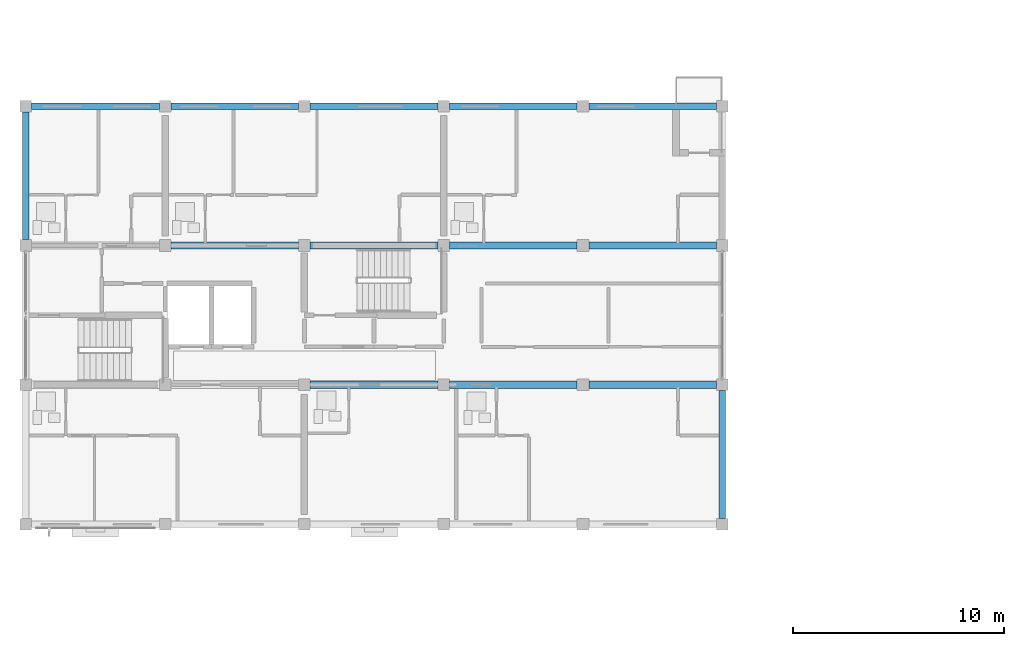
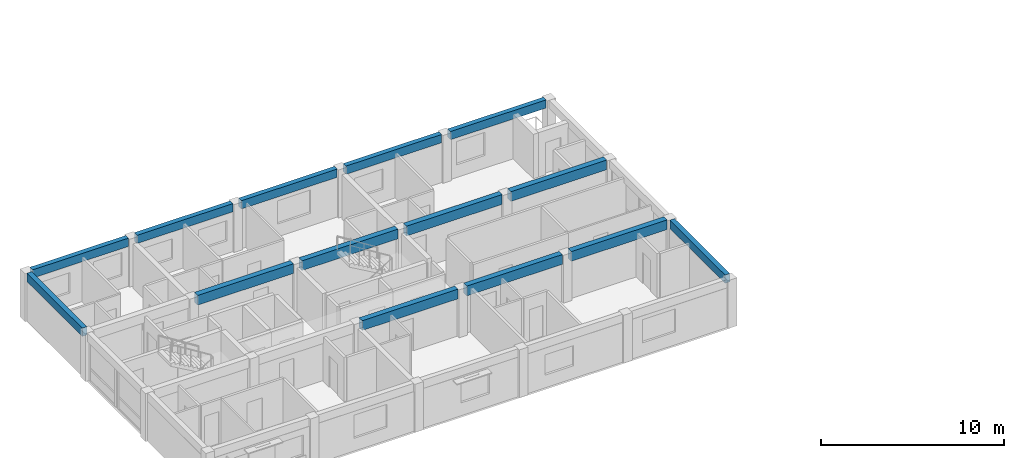
# One storey, part 17 of 53: 14 beams.
"""IFC4 building model written with IfcOpenShell, lengths in metres."""

from ifc_helpers import new_model, si_unit, direction, frame, origin, origin_2d, place, context, subcontext, project, spatial, rectangle, extrude, material, material_profile, profile_set, type_object, element, save


model = new_model("IFC4")

# Units and contexts
model_context = context("Model", 3, precision=1e-05, world=origin(), true_north=direction((0.0, 1.0)))
body_context = subcontext(model_context, "Body", "Model", "MODEL_VIEW")
ifc_project = project(units=[si_unit("LENGTHUNIT", "METRE"), si_unit("AREAUNIT", "SQUARE_METRE"), si_unit("VOLUMEUNIT", "CUBIC_METRE"), si_unit("PLANEANGLEUNIT", "RADIAN"), si_unit("MASSUNIT", "GRAM", prefix="KILO")], contexts=[model_context])

# Site, building, storey
site_placement = place(None, origin())
site = spatial("IfcSite", under=ifc_project, at=site_placement, CompositionType="ELEMENT")
building_placement = place(site_placement, origin())
building = spatial("IfcBuilding", under=site, at=building_placement, Name="Kernevlak Ridge Housing Community", CompositionType="ELEMENT")
storey_placement = place(building_placement, frame((0.0, 0.0, 18.0)))
storey = spatial("IfcBuildingStorey", under=building, at=storey_placement, Name="L05", CompositionType="ELEMENT", Elevation=18.0)

# Beams
ifc_material = material(Name="Concrete C35/45", Category="concrete")
ifc_material_profile_1 = material_profile(ifc_material, rectangle(XDim=0.35009765625, YDim=0.64990234375, at=origin_2d()), Name="RC 350x650")
ifc_profile_set_1 = profile_set([ifc_material_profile_1], Name="Concrete C35/45")
beam_type_1 = type_object("IfcBeamType", Name="B-02", PredefinedType="BEAM", material=ifc_profile_set_1)
for number, where, z_axis, x_axis, name in (
    (1, (29.074951171875, 82.60009765625, 2.875), (1.0, 0.0, 0.0), (0.0, 1.0, 0.0), "Beam B-02 L05 194"),
    (2, (35.675048828125, 82.60009765625, 2.875), (1.0, 0.0, 0.0), (0.0, 1.0, 0.0), "Beam B-02 L05 195"),
    (3, (42.27490234375, 82.60009765625, 2.875), (1.0, 0.0, 0.0), (0.0, 1.0, 0.0), "Beam B-02 L05 196"),
):
    element("IfcBeam", number, at=place(storey_placement, frame(where, z_axis=z_axis, x_axis=x_axis)), inside=storey, type_object=beam_type_1, Name=name, PredefinedType="BEAM", context=body_context, shape_type="SweptSolid", body=[
        extrude(rectangle(XDim=0.35009765625, YDim=0.64990234375, at=origin_2d()), origin(), (0.0, 0.0, 1.0), 6.050048828125),
    ])
beam_1_placement = place(storey_placement, frame((22.47509765625, 89.199951171875, 2.875), z_axis=(1.0, 0.0, 0.0), x_axis=(0.0, 1.0, 0.0)))
element("IfcBeam", 4, at=beam_1_placement, inside=storey, type_object=beam_type_1, Name="Beam B-02 L05 198", PredefinedType="BEAM", context=body_context, shape_type="SweptSolid", body=[
    extrude(rectangle(XDim=0.35009765625, YDim=0.64990234375, at=origin_2d()), origin(), (0.0, 0.0, 1.0), 6.0498046875),
])
for number, where, z_axis, x_axis, name in (
    (5, (29.074951171875, 89.199951171875, 2.875), (1.0, 0.0, 0.0), (0.0, 1.0, 0.0), "Beam B-02 L05 199"),
    (6, (35.675048828125, 89.199951171875, 2.875), (1.0, 0.0, 0.0), (0.0, 1.0, 0.0), "Beam B-02 L05 200"),
    (7, (42.27490234375, 89.199951171875, 2.875), (1.0, 0.0, 0.0), (0.0, 1.0, 0.0), "Beam B-02 L05 201"),
):
    element("IfcBeam", number, at=place(storey_placement, frame(where, z_axis=z_axis, x_axis=x_axis)), inside=storey, type_object=beam_type_1, Name=name, PredefinedType="BEAM", context=body_context, shape_type="SweptSolid", body=[
        extrude(rectangle(XDim=0.35009765625, YDim=0.64990234375, at=origin_2d()), origin(), (0.0, 0.0, 1.0), 6.050048828125),
    ])
ifc_material_profile_2 = material_profile(ifc_material, rectangle(XDim=0.300048828125, YDim=0.550048828125, at=origin_2d()), Name="RC 300x550")
ifc_profile_set_2 = profile_set([ifc_material_profile_2], Name="Concrete C35/45")
beam_type_2 = type_object("IfcBeamType", Name="SP-01", PredefinedType="SPANDREL", material=ifc_profile_set_2)
beam_2_placement = place(storey_placement, frame((15.875, 95.800048828125, 2.925048828125), z_axis=(1.0, 0.0, 0.0), x_axis=(0.0, 1.0, 0.0)))
element("IfcBeam", 8, at=beam_2_placement, inside=storey, type_object=beam_type_2, Name="Beam SP-01 L05 202", PredefinedType="SPANDREL", context=body_context, shape_type="SweptSolid", body=[
    extrude(rectangle(XDim=0.300048828125, YDim=0.550048828125, at=origin_2d()), origin(), (0.0, 0.0, 1.0), 6.050048828125),
])
beam_3_placement = place(storey_placement, frame((22.47509765625, 95.800048828125, 2.925048828125), z_axis=(1.0, 0.0, 0.0), x_axis=(0.0, 1.0, 0.0)))
element("IfcBeam", 9, at=beam_3_placement, inside=storey, type_object=beam_type_2, Name="Beam SP-01 L05 203", PredefinedType="SPANDREL", context=body_context, shape_type="SweptSolid", body=[
    extrude(rectangle(XDim=0.300048828125, YDim=0.550048828125, at=origin_2d()), origin(), (0.0, 0.0, 1.0), 6.0498046875),
])
for number, where, z_axis, x_axis, name in (
    (10, (29.074951171875, 95.800048828125, 2.925048828125), (1.0, 0.0, 0.0), (0.0, 1.0, 0.0), "Beam SP-01 L05 204"),
    (11, (35.675048828125, 95.800048828125, 2.925048828125), (1.0, 0.0, 0.0), (0.0, 1.0, 0.0), "Beam SP-01 L05 205"),
    (12, (42.27490234375, 95.800048828125, 2.925048828125), (1.0, 0.0, 0.0), (0.0, 1.0, 0.0), "Beam SP-01 L05 206"),
):
    element("IfcBeam", number, at=place(storey_placement, frame(where, z_axis=z_axis, x_axis=x_axis)), inside=storey, type_object=beam_type_2, Name=name, PredefinedType="SPANDREL", context=body_context, shape_type="SweptSolid", body=[
        extrude(rectangle(XDim=0.300048828125, YDim=0.550048828125, at=origin_2d()), origin(), (0.0, 0.0, 1.0), 6.050048828125),
    ])
beam_4_placement = place(storey_placement, frame((15.60009765625, 89.47509765625, 2.925048828125), z_axis=(0.0, 1.0, 0.0), x_axis=(-1.0, 0.0, 0.0)))
element("IfcBeam", 13, at=beam_4_placement, inside=storey, type_object=beam_type_2, Name="Beam SP-01 L05 209", PredefinedType="SPANDREL", context=body_context, shape_type="SweptSolid", body=[
    extrude(rectangle(XDim=0.300048828125, YDim=0.550048828125, at=origin_2d()), origin(), (0.0, 0.0, 1.0), 6.0498046875),
])
beam_5_placement = place(storey_placement, frame((48.60009765625, 76.27490234375, 2.925048828125), z_axis=(0.0, 1.0, 0.0), x_axis=(-1.0, 0.0, 0.0)))
element("IfcBeam", 14, at=beam_5_placement, inside=storey, type_object=beam_type_2, Name="Beam SP-01 L05 210", PredefinedType="SPANDREL", context=body_context, shape_type="SweptSolid", body=[
    extrude(rectangle(XDim=0.300048828125, YDim=0.550048828125, at=origin_2d()), origin(), (0.0, 0.0, 1.0), 6.050048828125),
])

save(model, "model.ifc")
